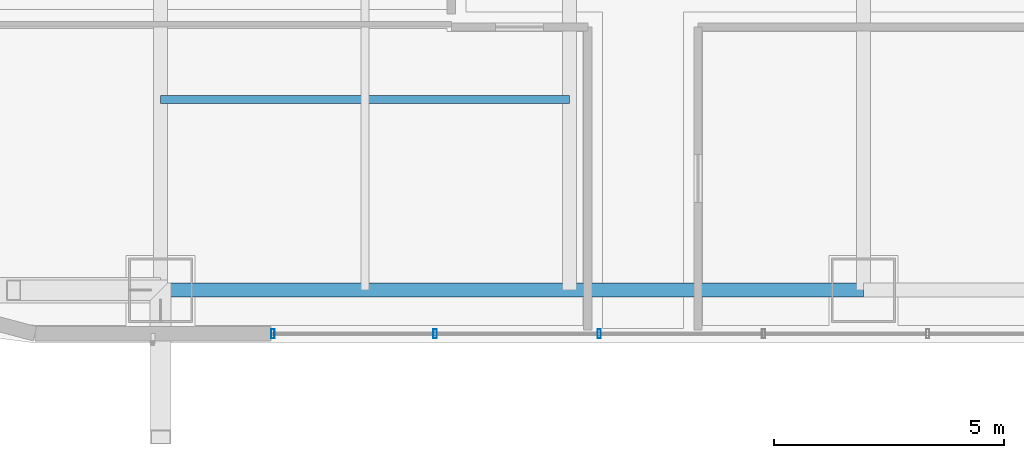
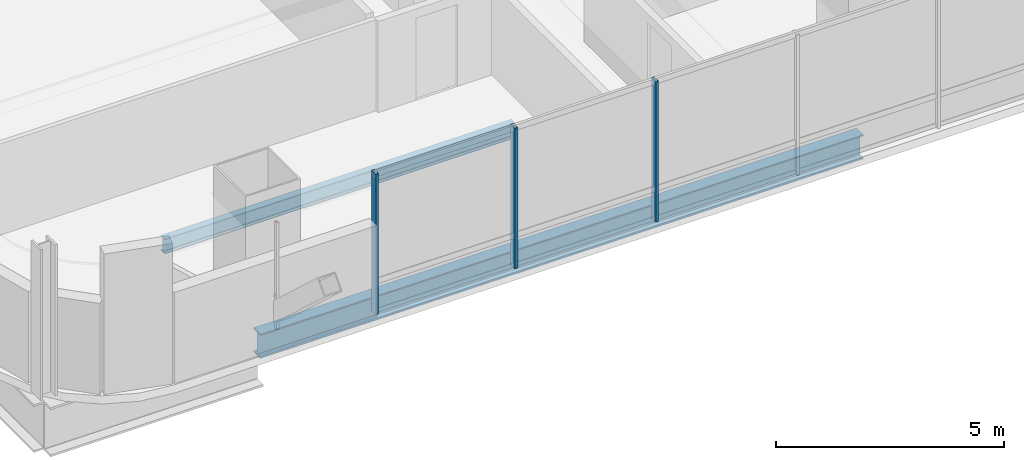
# One storey, part 2 of 47: 3 members, 2 beams, 1 element without a shape of its own.
"""IFC4 building model written with IfcOpenShell, lengths in metres."""

import ifcopenshell
import ifcopenshell.guid

model = None  # the IFC model being written
_history = None  # IfcOwnerHistory: only IFC2X3 demands one
_inside = {}  # id of a spatial element -> (the spatial element, [elements in it])
_under = {}  # id of a project, library or spatial element -> (it, [spatial elements below it])
_declared = {}  # id of a project -> (the project, [libraries it declares])
_typed = {}  # id of a type object -> (the type object, [elements of that type])
_made_of = {}  # id of a material, layer set ... -> (it, [elements and type objects made of it])


def new_model(schema):
    """Start an empty IFC model of exactly this schema.

    Asked for "IFC4X3", IfcOpenShell would pick the latest addendum, in which some entities
    have other attributes; the version numbers below select the first issue.
    IFC2X3 requires an IfcOwnerHistory on every rooted entity: one is made here for all.
    """
    global model, _history
    if schema == "IFC4X3":
        model = ifcopenshell.file(schema_version=(4, 3, 0, 0))
    else:
        model = ifcopenshell.file(schema=schema)
    _inside.clear()
    _under.clear()
    _declared.clear()
    _typed.clear()
    _made_of.clear()
    _history = None
    if model.schema == "IFC2X3":
        org = make("IfcOrganization", Name="unknown")
        user = make(
            "IfcPersonAndOrganization",
            ThePerson=make("IfcPerson", FamilyName="unknown"),
            TheOrganization=org,
        )
        app = make(
            "IfcApplication",
            ApplicationDeveloper=org,
            Version="unknown",
            ApplicationFullName="unknown",
            ApplicationIdentifier="unknown",
        )
        _history = make(
            "IfcOwnerHistory",
            OwningUser=user,
            OwningApplication=app,
            ChangeAction="ADDED",
            CreationDate=0,
        )
    return model


def make(cls, **values):
    """One entity of the class cls with the attributes given. An attribute that is None is left unset."""
    return model.create_entity(
        cls, **{name: value for name, value in values.items() if value is not None}
    )


def rooted(cls, **values):
    """An entity with a GlobalId (a new one), such as an element, a storey or a relation."""
    return make(cls, GlobalId=ifcopenshell.guid.new(), OwnerHistory=_history, **values)


def si_unit(unit_type, name, prefix=None):
    """IfcSIUnit, for example si_unit("LENGTHUNIT", "METRE", prefix="MILLI")."""
    return make("IfcSIUnit", UnitType=unit_type, Prefix=prefix, Name=name)


def assignment(units):
    """IfcUnitAssignment: the units of a project."""
    return None if units is None else make("IfcUnitAssignment", Units=units)


def point(xyz):
    """IfcCartesianPoint."""
    return None if xyz is None else make("IfcCartesianPoint", Coordinates=xyz)


def direction(xyz):
    """IfcDirection."""
    return None if xyz is None else make("IfcDirection", DirectionRatios=xyz)


def frame(location, z_axis=None, x_axis=None):
    """IfcAxis2Placement3D, a coordinate frame: its origin and axes. An axis left out is left unset."""
    return make(
        "IfcAxis2Placement3D",
        Location=point(location),
        Axis=direction(z_axis),
        RefDirection=direction(x_axis),
    )


def frame_2d(location, x_axis=None):
    """IfcAxis2Placement2D, a coordinate frame in the plane: its origin and x axis."""
    return make(
        "IfcAxis2Placement2D", Location=point(location), RefDirection=direction(x_axis)
    )


def origin():
    """The frame at (0, 0, 0) with its axes left unset."""
    return frame((0.0, 0.0, 0.0))


def origin_2d():
    """The frame at (0, 0) in the plane with its x axis left unset."""
    return frame_2d((0.0, 0.0))


def place(relative_to, where):
    """IfcLocalPlacement: puts the frame where relative to a parent placement (None: the world)."""
    return make(
        "IfcLocalPlacement", PlacementRelTo=relative_to, RelativePlacement=where
    )


def context(
    kind, dimensions, precision=None, world=None, true_north=None, identifier=None
):
    """IfcGeometricRepresentationContext, for example the 3D "Model" context."""
    return make(
        "IfcGeometricRepresentationContext",
        ContextIdentifier=identifier,
        ContextType=kind,
        CoordinateSpaceDimension=dimensions,
        Precision=precision,
        WorldCoordinateSystem=world,
        TrueNorth=true_north,
    )


def subcontext(parent, identifier, kind, view, scale=None):
    """IfcGeometricRepresentationSubContext, for example "Body" below "Model"."""
    return make(
        "IfcGeometricRepresentationSubContext",
        ContextIdentifier=identifier,
        ContextType=kind,
        ParentContext=parent,
        TargetScale=scale,
        TargetView=view,
    )


def project(units=None, contexts=None):
    """IfcProject with its units and contexts."""
    return rooted(
        "IfcProject",
        Name="project",
        RepresentationContexts=contexts,
        UnitsInContext=assignment(units),
    )


def spatial(cls, under=None, at=None, **own):
    """A site, building, storey or space (cls), placed at a placement, below another one or the project."""
    s = rooted(cls, ObjectPlacement=at, **own)
    if under is not None:
        _under.setdefault(under.id(), (under, []))[1].append(s)
    return s


def profile(cls, at=None, kind="AREA", **sizes):
    """A parametric profile (cls). Its sizes go by their IFC names, for example OverallWidth=200.0."""
    return make(cls, ProfileType=kind, Position=at, **sizes)


def hollow_rectangle(**sizes):
    """IfcRectangleHollowProfileDef."""
    return profile("IfcRectangleHollowProfileDef", **sizes)


def i_section(**sizes):
    """IfcIShapeProfileDef."""
    return profile("IfcIShapeProfileDef", **sizes)


def extrude(swept, where, along, depth):
    """IfcExtrudedAreaSolid: the profile swept, set in the frame where, extruded along a direction by depth."""
    return make(
        "IfcExtrudedAreaSolid",
        SweptArea=swept,
        Position=where,
        ExtrudedDirection=direction(along),
        Depth=depth,
    )


def shape(context_of_items, identifier, shape_type, items):
    """IfcShapeRepresentation: the items that make up one representation, for example the "Body"."""
    return make(
        "IfcShapeRepresentation",
        ContextOfItems=context_of_items,
        RepresentationIdentifier=identifier,
        RepresentationType=shape_type,
        Items=items,
    )


def material(Name=None, Category=None):
    """IfcMaterial."""
    return make("IfcMaterial", Name=Name, Category=Category)


def material_profile(
    of_material, cross_section, Name=None, Category=None, Priority=None
):
    """IfcMaterialProfile: a cross section and its material."""
    return make(
        "IfcMaterialProfile",
        Name=Name,
        Material=of_material,
        Profile=cross_section,
        Priority=Priority,
        Category=Category,
    )


def profile_set(profiles, Name=None, composite=None):
    """IfcMaterialProfileSet."""
    return make(
        "IfcMaterialProfileSet",
        Name=Name,
        MaterialProfiles=profiles,
        CompositeProfile=composite,
    )


def made_of(thing, what):
    """Note that an element or type object is made of a material, layer set ...; save() writes the relation."""
    if what is not None:
        _made_of.setdefault(what.id(), (what, []))[1].append(thing)
    return thing


def type_object(cls, material=None, **own):
    """A type object (cls), such as IfcWallType, which elements share."""
    return made_of(rooted(cls, **own), material)


def element(
    cls,
    number,
    at=None,
    inside=None,
    cuts=None,
    type_object=None,
    material=None,
    context=None,
    identifier="Body",
    shape_type=None,
    held_by="IfcProductDefinitionShape",
    body=None,
    shapes=None,
    **own,
):
    """One element of the class cls, such as IfcWall. Its Tag is "e" and its number.

    at: its placement. inside: the storey or other place that contains it. cuts: it is an
    opening in that element (IfcRelVoidsElement). A single representation is given by context,
    identifier, shape_type and body (its items); several are given by shapes. held_by: the class
    of the entity that holds the representations. save() writes the other relations.
    """
    e = rooted(cls, Tag="e%d" % number, ObjectPlacement=at, **own)
    if body is not None:
        shapes = [shape(context, identifier, shape_type, body)]
    if shapes is not None:
        e.Representation = make(held_by, Representations=shapes)
    if inside is not None:
        _inside.setdefault(inside.id(), (inside, []))[1].append(e)
    if cuts is not None:
        rooted(
            "IfcRelVoidsElement", RelatingBuildingElement=cuts, RelatedOpeningElement=e
        )
    if type_object is not None:
        _typed.setdefault(type_object.id(), (type_object, []))[1].append(e)
    return made_of(e, material)


def aggregate(whole, parts):
    """IfcRelAggregates: a whole, such as a stair, and the parts it consists of."""
    return rooted("IfcRelAggregates", RelatingObject=whole, RelatedObjects=parts)


def save(model, path):
    """Write the relations noted so far, then the file.

    IfcRelAggregates (storeys below a building ...), IfcRelContainedInSpatialStructure (elements
    in a storey), IfcRelDefinesByType, IfcRelAssociatesMaterial and IfcRelDeclares: one each for
    every whole, place, type object, material and project.
    """
    for whole, parts in _under.values():
        aggregate(whole, parts)
    for where, things in _inside.values():
        rooted(
            "IfcRelContainedInSpatialStructure",
            RelatedElements=things,
            RelatingStructure=where,
        )
    for kind, things in _typed.values():
        rooted("IfcRelDefinesByType", RelatedObjects=things, RelatingType=kind)
    for what, things in _made_of.values():
        rooted("IfcRelAssociatesMaterial", RelatedObjects=things, RelatingMaterial=what)
    for by, libraries in _declared.values():
        rooted("IfcRelDeclares", RelatingContext=by, RelatedDefinitions=libraries)
    model.write(path)


model = new_model("IFC4")

# Units and contexts
model_context = context("Model", 3, precision=1e-05, world=origin(), true_north=direction((0.0, 1.0)))
body_context = subcontext(model_context, "Body", "Model", "MODEL_VIEW")
ifc_project = project(units=[si_unit("LENGTHUNIT", "METRE"), si_unit("AREAUNIT", "SQUARE_METRE"), si_unit("VOLUMEUNIT", "CUBIC_METRE"), si_unit("PLANEANGLEUNIT", "RADIAN"), si_unit("MASSUNIT", "GRAM", prefix="KILO")], contexts=[model_context])

# Site, building, storey
site_placement = place(None, origin())
site = spatial("IfcSite", under=ifc_project, at=site_placement, CompositionType="ELEMENT")
building_placement = place(site_placement, origin())
building = spatial("IfcBuilding", under=site, at=building_placement, Name="Punatoya Terracotta Tower", CompositionType="ELEMENT")
storey_placement = place(building_placement, frame((0.0, 0.0, 168.14990234375)))
storey = spatial("IfcBuildingStorey", under=building, at=storey_placement, Name="L39", CompositionType="ELEMENT", Elevation=168.14990234375)

# Beams
ifc_material_1 = material(Name="Steel S355", Category="steel")
ifc_material_profile_1 = material_profile(ifc_material_1, i_section(OverallWidth=0.300048828125, OverallDepth=0.64990234375, WebThickness=0.01611328125, FlangeThickness=0.031005859375, FilletRadius=0.01806640625, at=origin_2d()))
ifc_profile_set_1 = profile_set([ifc_material_profile_1], Name="Steel S355")
beam_type_1 = type_object("IfcBeamType", Name="BM-PRI-650", PredefinedType="BEAM", material=ifc_profile_set_1)
beam_1_placement = place(storey_placement, frame((-19.10009765625, -17.5, -0.544921875), z_axis=(1.0, 0.0, 0.0), x_axis=(0.0, 1.0, 0.0)))
element("IfcBeam", 1, at=beam_1_placement, inside=storey, type_object=beam_type_1, Name="BM-L39-RG-S1", PredefinedType="BEAM", context=body_context, shape_type="SweptSolid", body=[
    extrude(i_section(OverallWidth=0.300048828125, OverallDepth=0.64990234375, WebThickness=0.01611328125, FlangeThickness=0.031005859375, FilletRadius=0.01806640625, at=origin_2d()), origin(), (0.0, 0.0, 1.0), 15.300048828125),
])
ifc_material_profile_2 = material_profile(ifc_material_1, i_section(OverallWidth=0.179931640625, OverallDepth=0.39990234375, WebThickness=0.008544921875, FlangeThickness=0.013427734375, FilletRadius=0.01806640625, at=origin_2d()))
ifc_profile_set_2 = profile_set([ifc_material_profile_2], Name="Steel S355")
beam_type_2 = type_object("IfcBeamType", Name="BM-SEC-400", PredefinedType="JOIST", material=ifc_profile_set_2)
beam_2_placement = place(storey_placement, frame((-19.10009765625, -13.35009765625, -0.419921875), z_axis=(1.0, 0.0, 0.0), x_axis=(0.0, 1.0, 0.0)))
element("IfcBeam", 2, at=beam_2_placement, inside=storey, type_object=beam_type_2, Name="BM-L39-SJS-1", PredefinedType="JOIST", context=body_context, shape_type="SweptSolid", body=[
    extrude(i_section(OverallWidth=0.179931640625, OverallDepth=0.39990234375, WebThickness=0.008544921875, FlangeThickness=0.013427734375, FilletRadius=0.01806640625, at=origin_2d()), origin(), (0.0, 0.0, 1.0), 8.900146484375),
])

# Curtain wall, members
ifc_material_2 = material(Name="Aluminium 6063-T6 + Double Low-E Glass", Category="aluminium")
curtain_wall_type = type_object("IfcCurtainWallType", Name="CW-M2", PredefinedType="NOTDEFINED", material=ifc_material_2)
curtain_wall_placement = place(storey_placement, origin())
curtain_wall = element("IfcCurtainWall", 3, at=curtain_wall_placement, inside=storey, type_object=curtain_wall_type, Name="L39 Curtain Wall CW-L39-S01-1", PredefinedType="NOTDEFINED")
ifc_material_3 = material(Name="Aluminium 6063-T6", Category="aluminium")
ifc_material_profile_3 = material_profile(ifc_material_3, hollow_rectangle(XDim=0.072021484375, YDim=0.195068359375, WallThickness=0.00439453125, at=origin_2d()))
ifc_profile_set_3 = profile_set([ifc_material_profile_3], Name="Aluminium 6063-T6")
member_type = type_object("IfcMemberType", Name="CW-MUL-M2", PredefinedType="MULLION", material=ifc_profile_set_3)
member_1_placement = place(storey_placement, frame((-16.655029296875, -18.449951171875, 0.0), z_axis=(0.0, 0.0, 1.0), x_axis=(1.0, 0.0, 0.0)))
member_1 = element("IfcMember", 4, at=member_1_placement, type_object=member_type, Name="CW-L39-S01-1 Mullion 00", PredefinedType="MULLION", context=body_context, shape_type="SweptSolid", body=[
    extrude(hollow_rectangle(XDim=0.072021484375, YDim=0.195068359375, WallThickness=0.00439453125, at=origin_2d()), origin(), (0.0, 0.0, 1.0), 3.77001953125),
])
member_2_placement = place(storey_placement, frame((-13.125, -18.449951171875, 0.0), z_axis=(0.0, 0.0, 1.0), x_axis=(1.0, 0.0, 0.0)))
member_2 = element("IfcMember", 5, at=member_2_placement, type_object=member_type, Name="CW-L39-S01-1 Mullion 01", PredefinedType="MULLION", context=body_context, shape_type="SweptSolid", body=[
    extrude(hollow_rectangle(XDim=0.072021484375, YDim=0.195068359375, WallThickness=0.00439453125, at=origin_2d()), origin(), (0.0, 0.0, 1.0), 3.77001953125),
])
member_3_placement = place(storey_placement, frame((-9.550048828125, -18.449951171875, 0.0), z_axis=(0.0, 0.0, 1.0), x_axis=(1.0, 0.0, 0.0)))
member_3 = element("IfcMember", 6, at=member_3_placement, type_object=member_type, Name="CW-L39-S01-1 Mullion 02", PredefinedType="MULLION", context=body_context, shape_type="SweptSolid", body=[
    extrude(hollow_rectangle(XDim=0.072021484375, YDim=0.195068359375, WallThickness=0.00439453125, at=origin_2d()), origin(), (0.0, 0.0, 1.0), 3.77001953125),
])
aggregate(curtain_wall, [member_1, member_2, member_3])

save(model, "model.ifc")
